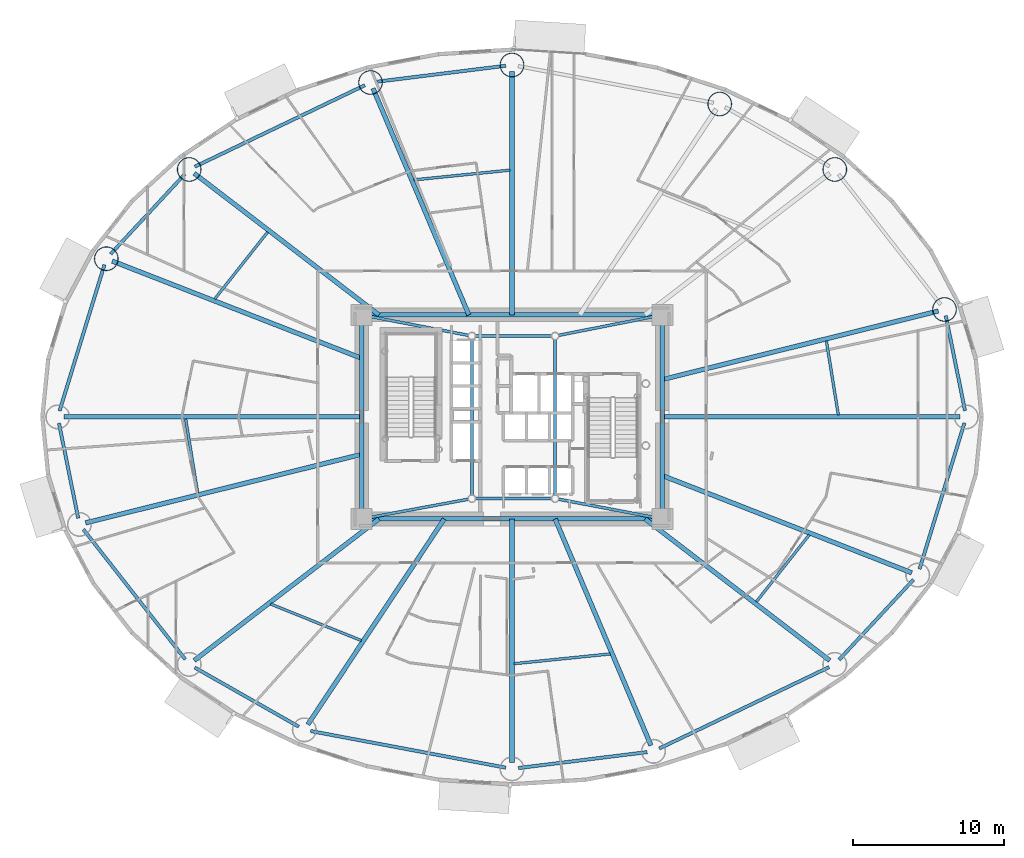
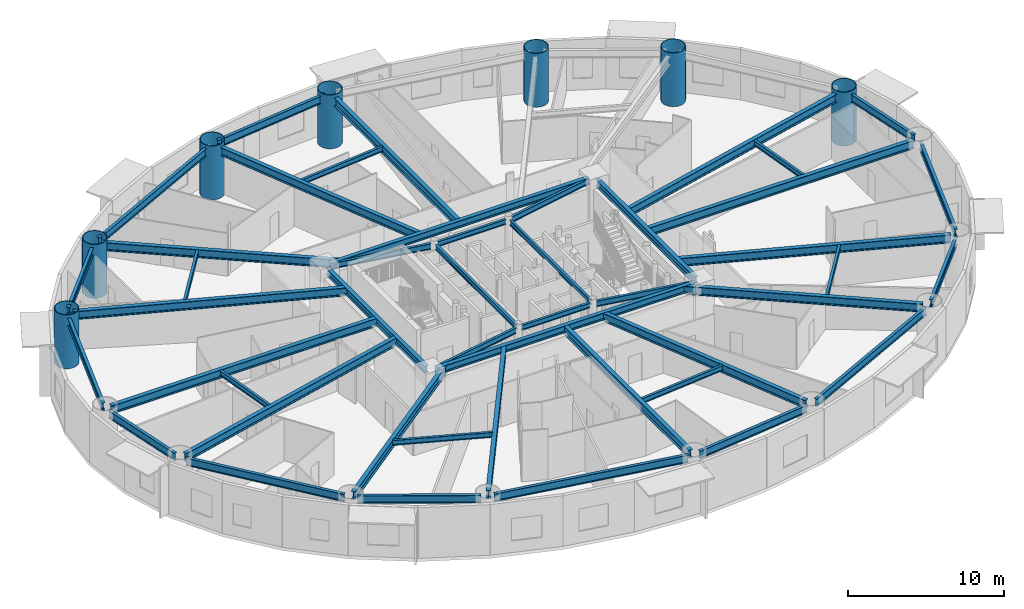
# One storey, part 3 of 21: 46 beams, 7 columns.
"""IFC4 building model written with IfcOpenShell, lengths in metres."""

from ifc_helpers import new_model, si_unit, direction, frame, origin, origin_2d, place, context, subcontext, project, spatial, hollow_circle, i_section, extrude, material, material_profile, profile_set, type_object, element, save


model = new_model("IFC4")

# Units and contexts
model_context = context("Model", 3, precision=1e-05, world=origin(), true_north=direction((0.0, 1.0)))
body_context = subcontext(model_context, "Body", "Model", "MODEL_VIEW")
ifc_project = project(units=[si_unit("LENGTHUNIT", "METRE"), si_unit("AREAUNIT", "SQUARE_METRE"), si_unit("VOLUMEUNIT", "CUBIC_METRE"), si_unit("PLANEANGLEUNIT", "RADIAN"), si_unit("MASSUNIT", "GRAM", prefix="KILO")], contexts=[model_context])

# Site, building, storey
site_placement = place(None, origin())
site = spatial("IfcSite", under=ifc_project, at=site_placement, CompositionType="ELEMENT")
building_placement = place(site_placement, origin())
building = spatial("IfcBuilding", under=site, at=building_placement, Name="Linh Dai School and Residence Tower", CompositionType="ELEMENT")
storey_placement = place(building_placement, frame((0.0, 0.0, 61.800048828125)))
storey = spatial("IfcBuildingStorey", under=building, at=storey_placement, Name="L14", CompositionType="ELEMENT", Elevation=61.800048828125)

# Columns
ifc_material = material(Name="Structural Steel S355JR", Category="steel")
ifc_material_profile_1 = material_profile(ifc_material, hollow_circle(Radius=0.800048828125, WallThickness=0.044921875, at=origin_2d()), Name="CHS 1600x45")
ifc_profile_set_1 = profile_set([ifc_material_profile_1], Name="Structural Steel S355JR")
column_type = type_object("IfcColumnType", Name="COL-MC2", PredefinedType="COLUMN", material=ifc_profile_set_1)
for number, where, z_axis, x_axis, name in (
    (1, (64.61083984375, 34.108642578125, 0.0), (0.0, 0.0, 1.0), (1.0, 0.0, 0.0), "L14 Perimeter CFT Mega-Column MC02"),
    (2, (57.352783203125, 43.369140625, 0.0), (0.0, 0.0, 1.0), (1.0, 0.0, 0.0), "L14 Perimeter CFT Mega-Column MC03"),
    (3, (49.73828125, 47.69921875, 0.0), (0.0, 0.0, 1.0), (1.0, 0.0, 0.0), "L14 Perimeter CFT Mega-Column MC04"),
    (4, (36.0, 50.280029296875, 0.0), (0.0, 0.0, 1.0), (1.0, 0.0, 0.0), "L14 Perimeter CFT Mega-Column MC05"),
    (5, (26.642333984375, 49.119873046875, 0.0), (0.0, 0.0, 1.0), (1.0, 0.0, 0.0), "L14 Perimeter CFT Mega-Column MC06"),
    (6, (14.647216796875, 43.369140625, 0.0), (0.0, 0.0, 1.0), (1.0, 0.0, 0.0), "L14 Perimeter CFT Mega-Column MC07"),
    (7, (9.16455078125, 37.4638671875, 0.0), (0.0, 0.0, 1.0), (1.0, 0.0, 0.0), "L14 Perimeter CFT Mega-Column MC08"),
):
    element("IfcColumn", number, at=place(storey_placement, frame(where, z_axis=z_axis, x_axis=x_axis)), inside=storey, type_object=column_type, Name=name, PredefinedType="COLUMN", context=body_context, shape_type="SweptSolid", body=[
        extrude(hollow_circle(Radius=0.800048828125, WallThickness=0.044921875, at=origin_2d()), origin(), (0.0, 0.0, 1.0), 4.199951171875),
    ])

# Beams
ifc_material_profile_2 = material_profile(ifc_material, i_section(OverallWidth=0.219970703125, OverallDepth=0.60009765625, WebThickness=0.011962890625, FlangeThickness=0.01904296875, FilletRadius=0.02392578125, at=origin_2d()), Name="IPE 600")
ifc_profile_set_2 = profile_set([ifc_material_profile_2], Name="Structural Steel S355JR")
beam_type_1 = type_object("IfcBeamType", Name="BM-RB60", PredefinedType="BEAM", material=ifc_profile_set_2)
beam_1_placement = place(storey_placement, frame((65.966552734375, 27.41162109375, 3.64990234375), z_axis=(-0.198429171022, 0.980115230005, 0.0), x_axis=(-0.980115230005, -0.198429171022, 0.0)))
element("IfcBeam", 8, at=beam_1_placement, inside=storey, type_object=beam_type_1, Name="L14 Perimeter Elliptical Ring Beam 01", PredefinedType="BEAM", context=body_context, shape_type="SweptSolid", body=[
    extrude(i_section(OverallWidth=0.219970703125, OverallDepth=0.60009765625, WebThickness=0.011962890625, FlangeThickness=0.01904296875, FilletRadius=0.02392578125, at=origin_2d()), origin(), (0.0, 0.0, 1.0), 6.41259765625),
])
beam_2_placement = place(storey_placement, frame((35.583251953125, 50.228271484375, 3.64990234375), z_axis=(-0.99240113372, -0.123044665842, 0.0), x_axis=(0.123044665842, -0.99240113372, 0.0)))
element("IfcBeam", 9, at=beam_2_placement, inside=storey, type_object=beam_type_1, Name="L14 Perimeter Elliptical Ring Beam 05", PredefinedType="BEAM", context=body_context, shape_type="SweptSolid", body=[
    extrude(i_section(OverallWidth=0.219970703125, OverallDepth=0.60009765625, WebThickness=0.011962890625, FlangeThickness=0.01904296875, FilletRadius=0.02392578125, at=origin_2d()), origin(), (0.0, 0.0, 1.0), 8.58935546875),
])
beam_3_placement = place(storey_placement, frame((26.263427734375, 48.938232421875, 3.64990234375), z_axis=(-0.901728693485, -0.432302398034, 0.0), x_axis=(0.432302398034, -0.901728693485, 0.0)))
element("IfcBeam", 10, at=beam_3_placement, inside=storey, type_object=beam_type_1, Name="L14 Perimeter Elliptical Ring Beam 06", PredefinedType="BEAM", context=body_context, shape_type="SweptSolid", body=[
    extrude(i_section(OverallWidth=0.219970703125, OverallDepth=0.60009765625, WebThickness=0.011962890625, FlangeThickness=0.01904296875, FilletRadius=0.02392578125, at=origin_2d()), origin(), (0.0, 0.0, 1.0), 12.462158203125),
])
beam_4_placement = place(storey_placement, frame((14.361572265625, 43.061279296875, 3.64990234375), z_axis=(-0.680408287194, -0.732833243458, 0.0), x_axis=(0.732833243458, -0.680408287194, 0.0)))
element("IfcBeam", 11, at=beam_4_placement, inside=storey, type_object=beam_type_1, Name="L14 Perimeter Elliptical Ring Beam 07", PredefinedType="BEAM", context=body_context, shape_type="SweptSolid", body=[
    extrude(i_section(OverallWidth=0.219970703125, OverallDepth=0.60009765625, WebThickness=0.011962890625, FlangeThickness=0.01904296875, FilletRadius=0.02392578125, at=origin_2d()), origin(), (0.0, 0.0, 1.0), 7.21826171875),
])
beam_5_placement = place(storey_placement, frame((9.041259765625, 37.062255859375, 3.64990234375), z_axis=(-0.293673329015, -0.95590584046, 0.0), x_axis=(0.95590584046, -0.293673329015, 0.0)))
element("IfcBeam", 12, at=beam_5_placement, inside=storey, type_object=beam_type_1, Name="L14 Perimeter Elliptical Ring Beam 08", PredefinedType="BEAM", context=body_context, shape_type="SweptSolid", body=[
    extrude(i_section(OverallWidth=0.219970703125, OverallDepth=0.60009765625, WebThickness=0.011962890625, FlangeThickness=0.01904296875, FilletRadius=0.02392578125, at=origin_2d()), origin(), (0.0, 0.0, 1.0), 10.1064453125),
])
beam_6_placement = place(storey_placement, frame((6.033447265625, 26.58837890625, 3.64990234375), z_axis=(0.198429171022, -0.980115230005, 0.0), x_axis=(0.980115230005, 0.198429171022, 0.0)))
element("IfcBeam", 13, at=beam_6_placement, inside=storey, type_object=beam_type_1, Name="L14 Perimeter Elliptical Ring Beam 09", PredefinedType="BEAM", context=body_context, shape_type="SweptSolid", body=[
    extrude(i_section(OverallWidth=0.219970703125, OverallDepth=0.60009765625, WebThickness=0.011962890625, FlangeThickness=0.01904296875, FilletRadius=0.02392578125, at=origin_2d()), origin(), (0.0, 0.0, 1.0), 6.41259765625),
])
beam_7_placement = place(storey_placement, frame((7.648193359375, 19.560791015625, 3.64990234375), z_axis=(0.616878670407, -0.787058260866, 0.0), x_axis=(0.787058260866, 0.616878670407, 0.0)))
element("IfcBeam", 14, at=beam_7_placement, inside=storey, type_object=beam_type_1, Name="L14 Perimeter Elliptical Ring Beam 10", PredefinedType="BEAM", context=body_context, shape_type="SweptSolid", body=[
    extrude(i_section(OverallWidth=0.219970703125, OverallDepth=0.60009765625, WebThickness=0.011962890625, FlangeThickness=0.01904296875, FilletRadius=0.02392578125, at=origin_2d()), origin(), (0.0, 0.0, 1.0), 10.926025390625),
])
beam_8_placement = place(storey_placement, frame((15.012451171875, 10.42333984375, 3.64990234375), z_axis=(0.869271416992, -0.494335112653, 0.0), x_axis=(0.494335112653, 0.869271416992, 0.0)))
element("IfcBeam", 15, at=beam_8_placement, inside=storey, type_object=beam_type_1, Name="L14 Perimeter Elliptical Ring Beam 11", PredefinedType="BEAM", context=body_context, shape_type="SweptSolid", body=[
    extrude(i_section(OverallWidth=0.219970703125, OverallDepth=0.60009765625, WebThickness=0.011962890625, FlangeThickness=0.01904296875, FilletRadius=0.02392578125, at=origin_2d()), origin(), (0.0, 0.0, 1.0), 7.91943359375),
])
beam_9_placement = place(storey_placement, frame((22.67431640625, 6.223388671875, 3.64990234375), z_axis=(0.982808389171, -0.184628465236, 0.0), x_axis=(0.184628465236, 0.982808389171, 0.0)))
element("IfcBeam", 16, at=beam_9_placement, inside=storey, type_object=beam_type_1, Name="L14 Perimeter Elliptical Ring Beam 12", PredefinedType="BEAM", context=body_context, shape_type="SweptSolid", body=[
    extrude(i_section(OverallWidth=0.219970703125, OverallDepth=0.60009765625, WebThickness=0.011962890625, FlangeThickness=0.01904296875, FilletRadius=0.02392578125, at=origin_2d()), origin(), (0.0, 0.0, 1.0), 13.138671875),
])
beam_10_placement = place(storey_placement, frame((36.416748046875, 3.771728515625, 3.64990234375), z_axis=(0.99240113372, 0.123044665842, 0.0), x_axis=(-0.123044665842, 0.99240113372, 0.0)))
element("IfcBeam", 17, at=beam_10_placement, inside=storey, type_object=beam_type_1, Name="L14 Perimeter Elliptical Ring Beam 13", PredefinedType="BEAM", context=body_context, shape_type="SweptSolid", body=[
    extrude(i_section(OverallWidth=0.219970703125, OverallDepth=0.60009765625, WebThickness=0.011962890625, FlangeThickness=0.01904296875, FilletRadius=0.02392578125, at=origin_2d()), origin(), (0.0, 0.0, 1.0), 8.58935546875),
])
beam_11_placement = place(storey_placement, frame((45.736572265625, 5.061767578125, 3.64990234375), z_axis=(0.901728693485, 0.432302398034, 0.0), x_axis=(-0.432302398034, 0.901728693485, 0.0)))
element("IfcBeam", 18, at=beam_11_placement, inside=storey, type_object=beam_type_1, Name="L14 Perimeter Elliptical Ring Beam 14", PredefinedType="BEAM", context=body_context, shape_type="SweptSolid", body=[
    extrude(i_section(OverallWidth=0.219970703125, OverallDepth=0.60009765625, WebThickness=0.011962890625, FlangeThickness=0.01904296875, FilletRadius=0.02392578125, at=origin_2d()), origin(), (0.0, 0.0, 1.0), 12.462158203125),
])
beam_12_placement = place(storey_placement, frame((57.638427734375, 10.938720703125, 3.64990234375), z_axis=(0.680408287194, 0.732833243458, 0.0), x_axis=(-0.732833243458, 0.680408287194, 0.0)))
element("IfcBeam", 19, at=beam_12_placement, inside=storey, type_object=beam_type_1, Name="L14 Perimeter Elliptical Ring Beam 15", PredefinedType="BEAM", context=body_context, shape_type="SweptSolid", body=[
    extrude(i_section(OverallWidth=0.219970703125, OverallDepth=0.60009765625, WebThickness=0.011962890625, FlangeThickness=0.01904296875, FilletRadius=0.02392578125, at=origin_2d()), origin(), (0.0, 0.0, 1.0), 7.21826171875),
])
beam_13_placement = place(storey_placement, frame((62.958740234375, 16.937744140625, 3.64990234375), z_axis=(0.293673329015, 0.95590584046, 0.0), x_axis=(-0.95590584046, 0.293673329015, 0.0)))
element("IfcBeam", 20, at=beam_13_placement, inside=storey, type_object=beam_type_1, Name="L14 Perimeter Elliptical Ring Beam 16", PredefinedType="BEAM", context=body_context, shape_type="SweptSolid", body=[
    extrude(i_section(OverallWidth=0.219970703125, OverallDepth=0.60009765625, WebThickness=0.011962890625, FlangeThickness=0.01904296875, FilletRadius=0.02392578125, at=origin_2d()), origin(), (0.0, 0.0, 1.0), 10.1064453125),
])
ifc_material_profile_3 = material_profile(ifc_material, i_section(OverallWidth=0.300048828125, OverallDepth=0.550048828125, WebThickness=0.014892578125, FlangeThickness=0.029052734375, FilletRadius=0.027099609375, at=origin_2d()), Name="HEB 550")
ifc_profile_set_3 = profile_set([ifc_material_profile_3], Name="Structural Steel S355JR")
beam_type_2 = type_object("IfcBeamType", Name="BM-RG55", PredefinedType="BEAM", material=ifc_profile_set_3)
beam_14_placement = place(storey_placement, frame((26.469970703125, 20.25, 3.675048828125), z_axis=(1.0, 0.0, 0.0), x_axis=(0.0, 1.0, 0.0)))
element("IfcBeam", 21, at=beam_14_placement, inside=storey, type_object=beam_type_2, Name="L14 Core Perimeter Coupling Girder 1", PredefinedType="BEAM", context=body_context, shape_type="SweptSolid", body=[
    extrude(i_section(OverallWidth=0.300048828125, OverallDepth=0.550048828125, WebThickness=0.014892578125, FlangeThickness=0.029052734375, FilletRadius=0.027099609375, at=origin_2d()), origin(), (0.0, 0.0, 1.0), 19.06005859375),
])
beam_15_placement = place(storey_placement, frame((45.949951171875, 20.669921875, 3.675048828125), z_axis=(0.0, 1.0, 0.0), x_axis=(-1.0, 0.0, 0.0)))
element("IfcBeam", 22, at=beam_15_placement, inside=storey, type_object=beam_type_2, Name="L14 Core Perimeter Coupling Girder 2", PredefinedType="BEAM", context=body_context, shape_type="SweptSolid", body=[
    extrude(i_section(OverallWidth=0.300048828125, OverallDepth=0.550048828125, WebThickness=0.014892578125, FlangeThickness=0.029052734375, FilletRadius=0.027099609375, at=origin_2d()), origin(), (0.0, 0.0, 1.0), 12.66015625),
])
beam_16_placement = place(storey_placement, frame((45.530029296875, 33.75, 3.675048828125), z_axis=(-1.0, 0.0, 0.0), x_axis=(0.0, -1.0, 0.0)))
element("IfcBeam", 23, at=beam_16_placement, inside=storey, type_object=beam_type_2, Name="L14 Core Perimeter Coupling Girder 3", PredefinedType="BEAM", context=body_context, shape_type="SweptSolid", body=[
    extrude(i_section(OverallWidth=0.300048828125, OverallDepth=0.550048828125, WebThickness=0.014892578125, FlangeThickness=0.029052734375, FilletRadius=0.027099609375, at=origin_2d()), origin(), (0.0, 0.0, 1.0), 19.06005859375),
])
beam_17_placement = place(storey_placement, frame((26.050048828125, 33.330078125, 3.675048828125), z_axis=(0.0, -1.0, 0.0), x_axis=(1.0, 0.0, 0.0)))
element("IfcBeam", 24, at=beam_17_placement, inside=storey, type_object=beam_type_2, Name="L14 Core Perimeter Coupling Girder 4", PredefinedType="BEAM", context=body_context, shape_type="SweptSolid", body=[
    extrude(i_section(OverallWidth=0.300048828125, OverallDepth=0.550048828125, WebThickness=0.014892578125, FlangeThickness=0.029052734375, FilletRadius=0.027099609375, at=origin_2d()), origin(), (0.0, 0.0, 1.0), 12.66015625),
])
ifc_material_profile_4 = material_profile(ifc_material, i_section(OverallWidth=0.300048828125, OverallDepth=0.64990234375, WebThickness=0.01611328125, FlangeThickness=0.031005859375, FilletRadius=0.027099609375, at=origin_2d()), Name="HEB 650")
ifc_profile_set_4 = profile_set([ifc_material_profile_4], Name="Structural Steel S355JR")
beam_type_3 = type_object("IfcBeamType", Name="BM-RG65", PredefinedType="BEAM", material=ifc_profile_set_4)
beam_18_placement = place(storey_placement, frame((45.949951171875, 27.0, 3.625), z_axis=(1.0, 0.0, 0.0), x_axis=(0.0, 1.0, 0.0)))
element("IfcBeam", 25, at=beam_18_placement, inside=storey, type_object=beam_type_3, Name="L14 Primary Radial Floor Girder 01", PredefinedType="BEAM", context=body_context, shape_type="SweptSolid", body=[
    extrude(i_section(OverallWidth=0.300048828125, OverallDepth=0.64990234375, WebThickness=0.01611328125, FlangeThickness=0.031005859375, FilletRadius=0.027099609375, at=origin_2d()), origin(), (0.0, 0.0, 1.0), 19.679931640625),
])
beam_19_placement = place(storey_placement, frame((45.949951171875, 29.47216796875, 3.625), z_axis=(0.970493481328, 0.241127357843, 0.0), x_axis=(-0.241127357843, 0.970493481328, 0.0)))
element("IfcBeam", 26, at=beam_19_placement, inside=storey, type_object=beam_type_3, Name="L14 Primary Radial Floor Girder 02", PredefinedType="BEAM", context=body_context, shape_type="SweptSolid", body=[
    extrude(i_section(OverallWidth=0.300048828125, OverallDepth=0.64990234375, WebThickness=0.01611328125, FlangeThickness=0.031005859375, FilletRadius=0.027099609375, at=origin_2d()), origin(), (0.0, 0.0, 1.0), 18.80810546875),
])
beam_20_placement = place(storey_placement, frame((36.0, 33.75, 3.625), z_axis=(0.0, 1.0, 0.0), x_axis=(-1.0, 0.0, 0.0)))
element("IfcBeam", 27, at=beam_20_placement, inside=storey, type_object=beam_type_3, Name="L14 Primary Radial Floor Girder 05", PredefinedType="BEAM", context=body_context, shape_type="SweptSolid", body=[
    extrude(i_section(OverallWidth=0.300048828125, OverallDepth=0.64990234375, WebThickness=0.01611328125, FlangeThickness=0.031005859375, FilletRadius=0.027099609375, at=origin_2d()), origin(), (0.0, 0.0, 1.0), 16.110107421875),
])
beam_21_placement = place(storey_placement, frame((33.14453125, 33.75, 3.625), z_axis=(-0.38962432485, 0.920973878829, 0.0), x_axis=(-0.920973878829, -0.38962432485, 0.0)))
element("IfcBeam", 28, at=beam_21_placement, inside=storey, type_object=beam_type_3, Name="L14 Primary Radial Floor Girder 06", PredefinedType="BEAM", context=body_context, shape_type="SweptSolid", body=[
    extrude(i_section(OverallWidth=0.300048828125, OverallDepth=0.64990234375, WebThickness=0.01611328125, FlangeThickness=0.031005859375, FilletRadius=0.027099609375, at=origin_2d()), origin(), (0.0, 0.0, 1.0), 16.2685546875),
])
beam_22_placement = place(storey_placement, frame((27.195068359375, 33.75, 3.625), z_axis=(-0.793637764155, 0.608390581212, 0.0), x_axis=(-0.608390581212, -0.793637764155, 0.0)))
element("IfcBeam", 29, at=beam_22_placement, inside=storey, type_object=beam_type_3, Name="L14 Primary Radial Floor Girder 07", PredefinedType="BEAM", context=body_context, shape_type="SweptSolid", body=[
    extrude(i_section(OverallWidth=0.300048828125, OverallDepth=0.64990234375, WebThickness=0.01611328125, FlangeThickness=0.031005859375, FilletRadius=0.027099609375, at=origin_2d()), origin(), (0.0, 0.0, 1.0), 15.390625),
])
beam_23_placement = place(storey_placement, frame((26.050048828125, 30.879638671875, 3.625), z_axis=(-0.93167509369, 0.363292609061, 0.0), x_axis=(-0.363292609061, -0.93167509369, 0.0)))
element("IfcBeam", 30, at=beam_23_placement, inside=storey, type_object=beam_type_3, Name="L14 Primary Radial Floor Girder 08", PredefinedType="BEAM", context=body_context, shape_type="SweptSolid", body=[
    extrude(i_section(OverallWidth=0.300048828125, OverallDepth=0.64990234375, WebThickness=0.01611328125, FlangeThickness=0.031005859375, FilletRadius=0.027099609375, at=origin_2d()), origin(), (0.0, 0.0, 1.0), 17.703857421875),
])
beam_24_placement = place(storey_placement, frame((26.050048828125, 27.0, 3.625), z_axis=(-1.0, 0.0, 0.0), x_axis=(0.0, -1.0, 0.0)))
element("IfcBeam", 31, at=beam_24_placement, inside=storey, type_object=beam_type_3, Name="L14 Primary Radial Floor Girder 09", PredefinedType="BEAM", context=body_context, shape_type="SweptSolid", body=[
    extrude(i_section(OverallWidth=0.300048828125, OverallDepth=0.64990234375, WebThickness=0.01611328125, FlangeThickness=0.031005859375, FilletRadius=0.027099609375, at=origin_2d()), origin(), (0.0, 0.0, 1.0), 19.679931640625),
])
beam_25_placement = place(storey_placement, frame((26.050048828125, 24.52783203125, 3.625), z_axis=(-0.970493481328, -0.241127357843, 0.0), x_axis=(0.241127357843, -0.970493481328, 0.0)))
element("IfcBeam", 32, at=beam_25_placement, inside=storey, type_object=beam_type_3, Name="L14 Primary Radial Floor Girder 10", PredefinedType="BEAM", context=body_context, shape_type="SweptSolid", body=[
    extrude(i_section(OverallWidth=0.300048828125, OverallDepth=0.64990234375, WebThickness=0.01611328125, FlangeThickness=0.031005859375, FilletRadius=0.027099609375, at=origin_2d()), origin(), (0.0, 0.0, 1.0), 18.80810546875),
])
beam_26_placement = place(storey_placement, frame((27.195068359375, 20.25, 3.625), z_axis=(-0.793637764155, -0.608390581212, 0.0), x_axis=(0.608390581212, -0.793637764155, 0.0)))
element("IfcBeam", 33, at=beam_26_placement, inside=storey, type_object=beam_type_3, Name="L14 Primary Radial Floor Girder 11", PredefinedType="BEAM", context=body_context, shape_type="SweptSolid", body=[
    extrude(i_section(OverallWidth=0.300048828125, OverallDepth=0.64990234375, WebThickness=0.01611328125, FlangeThickness=0.031005859375, FilletRadius=0.027099609375, at=origin_2d()), origin(), (0.0, 0.0, 1.0), 15.390625),
])
beam_27_placement = place(storey_placement, frame((31.52001953125, 20.25, 3.625), z_axis=(-0.55300421354, -0.833178456158, 0.0), x_axis=(0.833178456158, -0.55300421354, 0.0)))
element("IfcBeam", 34, at=beam_27_placement, inside=storey, type_object=beam_type_3, Name="L14 Primary Radial Floor Girder 12", PredefinedType="BEAM", context=body_context, shape_type="SweptSolid", body=[
    extrude(i_section(OverallWidth=0.300048828125, OverallDepth=0.64990234375, WebThickness=0.01611328125, FlangeThickness=0.031005859375, FilletRadius=0.027099609375, at=origin_2d()), origin(), (0.0, 0.0, 1.0), 16.322021484375),
])
beam_28_placement = place(storey_placement, frame((36.0, 20.25, 3.625), z_axis=(0.0, -1.0, 0.0), x_axis=(1.0, 0.0, 0.0)))
element("IfcBeam", 35, at=beam_28_placement, inside=storey, type_object=beam_type_3, Name="L14 Primary Radial Floor Girder 13", PredefinedType="BEAM", context=body_context, shape_type="SweptSolid", body=[
    extrude(i_section(OverallWidth=0.300048828125, OverallDepth=0.64990234375, WebThickness=0.01611328125, FlangeThickness=0.031005859375, FilletRadius=0.027099609375, at=origin_2d()), origin(), (0.0, 0.0, 1.0), 16.110107421875),
])
beam_29_placement = place(storey_placement, frame((38.85546875, 20.25, 3.625), z_axis=(0.38962432485, -0.920973878829, 0.0), x_axis=(0.920973878829, 0.38962432485, 0.0)))
element("IfcBeam", 36, at=beam_29_placement, inside=storey, type_object=beam_type_3, Name="L14 Primary Radial Floor Girder 14", PredefinedType="BEAM", context=body_context, shape_type="SweptSolid", body=[
    extrude(i_section(OverallWidth=0.300048828125, OverallDepth=0.64990234375, WebThickness=0.01611328125, FlangeThickness=0.031005859375, FilletRadius=0.027099609375, at=origin_2d()), origin(), (0.0, 0.0, 1.0), 16.2685546875),
])
beam_30_placement = place(storey_placement, frame((44.804931640625, 20.25, 3.625), z_axis=(0.793637764155, -0.608390581212, 0.0), x_axis=(0.608390581212, 0.793637764155, 0.0)))
element("IfcBeam", 37, at=beam_30_placement, inside=storey, type_object=beam_type_3, Name="L14 Primary Radial Floor Girder 15", PredefinedType="BEAM", context=body_context, shape_type="SweptSolid", body=[
    extrude(i_section(OverallWidth=0.300048828125, OverallDepth=0.64990234375, WebThickness=0.01611328125, FlangeThickness=0.031005859375, FilletRadius=0.027099609375, at=origin_2d()), origin(), (0.0, 0.0, 1.0), 15.390625),
])
beam_31_placement = place(storey_placement, frame((45.949951171875, 23.120361328125, 3.625), z_axis=(0.93167509369, -0.363292609061, 0.0), x_axis=(0.363292609061, 0.93167509369, 0.0)))
element("IfcBeam", 38, at=beam_31_placement, inside=storey, type_object=beam_type_3, Name="L14 Primary Radial Floor Girder 16", PredefinedType="BEAM", context=body_context, shape_type="SweptSolid", body=[
    extrude(i_section(OverallWidth=0.300048828125, OverallDepth=0.64990234375, WebThickness=0.01611328125, FlangeThickness=0.031005859375, FilletRadius=0.027099609375, at=origin_2d()), origin(), (0.0, 0.0, 1.0), 17.703857421875),
])
ifc_material_profile_5 = material_profile(ifc_material, i_section(OverallWidth=0.179931640625, OverallDepth=0.39990234375, WebThickness=0.008544921875, FlangeThickness=0.013427734375, FilletRadius=0.02099609375, at=origin_2d()), Name="IPE 400")
ifc_profile_set_5 = profile_set([ifc_material_profile_5], Name="Structural Steel S355JR")
beam_type_4 = type_object("IfcBeamType", Name="BM-SB40", PredefinedType="BEAM", material=ifc_profile_set_5)
beam_32_placement = place(storey_placement, frame((33.573974609375, 21.60009765625, 3.75), z_axis=(1.0, 0.0, 0.0), x_axis=(0.0, 1.0, 0.0)))
element("IfcBeam", 39, at=beam_32_placement, inside=storey, type_object=beam_type_4, Name="L14 Core Mast Pier Tie Beam 1", PredefinedType="BEAM", context=body_context, shape_type="SweptSolid", body=[
    extrude(i_section(OverallWidth=0.179931640625, OverallDepth=0.39990234375, WebThickness=0.008544921875, FlangeThickness=0.013427734375, FilletRadius=0.02099609375, at=origin_2d()), origin(), (0.0, 0.0, 1.0), 5.052001953125),
])
beam_33_placement = place(storey_placement, frame((38.85009765625, 21.823974609375, 3.75), z_axis=(0.0, 1.0, 0.0), x_axis=(-1.0, 0.0, 0.0)))
element("IfcBeam", 40, at=beam_33_placement, inside=storey, type_object=beam_type_4, Name="L14 Core Mast Pier Tie Beam 2", PredefinedType="BEAM", context=body_context, shape_type="SweptSolid", body=[
    extrude(i_section(OverallWidth=0.179931640625, OverallDepth=0.39990234375, WebThickness=0.008544921875, FlangeThickness=0.013427734375, FilletRadius=0.02099609375, at=origin_2d()), origin(), (0.0, 0.0, 1.0), 10.302001953125),
])
beam_34_placement = place(storey_placement, frame((38.6259765625, 32.35009765625, 3.75), z_axis=(-1.0, 0.0, 0.0), x_axis=(0.0, -1.0, 0.0)))
element("IfcBeam", 41, at=beam_34_placement, inside=storey, type_object=beam_type_4, Name="L14 Core Mast Pier Tie Beam 3", PredefinedType="BEAM", context=body_context, shape_type="SweptSolid", body=[
    extrude(i_section(OverallWidth=0.179931640625, OverallDepth=0.39990234375, WebThickness=0.008544921875, FlangeThickness=0.013427734375, FilletRadius=0.02099609375, at=origin_2d()), origin(), (0.0, 0.0, 1.0), 5.052001953125),
])
beam_35_placement = place(storey_placement, frame((33.35009765625, 32.1259765625, 3.75), z_axis=(0.0, -1.0, 0.0), x_axis=(1.0, 0.0, 0.0)))
element("IfcBeam", 42, at=beam_35_placement, inside=storey, type_object=beam_type_4, Name="L14 Core Mast Pier Tie Beam 4", PredefinedType="BEAM", context=body_context, shape_type="SweptSolid", body=[
    extrude(i_section(OverallWidth=0.179931640625, OverallDepth=0.39990234375, WebThickness=0.008544921875, FlangeThickness=0.013427734375, FilletRadius=0.02099609375, at=origin_2d()), origin(), (0.0, 0.0, 1.0), 10.302001953125),
])
beam_36_placement = place(storey_placement, frame((57.587158203125, 27.12841796875, 3.75), z_axis=(-0.159655745546, 0.987172752316, 0.0), x_axis=(-0.987172752316, -0.159655745546, 0.0)))
element("IfcBeam", 43, at=beam_36_placement, inside=storey, type_object=beam_type_4, Name="L14 Secondary Circumferential Floor Beam 01", PredefinedType="BEAM", context=body_context, shape_type="SweptSolid", body=[
    extrude(i_section(OverallWidth=0.179931640625, OverallDepth=0.39990234375, WebThickness=0.008544921875, FlangeThickness=0.013427734375, FilletRadius=0.02099609375, at=origin_2d()), origin(), (0.0, 0.0, 1.0), 4.96826171875),
])
beam_37_placement = place(storey_placement, frame((35.87060546875, 43.32421875, 3.75), z_axis=(-0.994886521003, -0.100999061019, 0.0), x_axis=(0.100999061019, -0.994886521003, 0.0)))
element("IfcBeam", 44, at=beam_37_placement, inside=storey, type_object=beam_type_4, Name="L14 Secondary Circumferential Floor Beam 03", PredefinedType="BEAM", context=body_context, shape_type="SweptSolid", body=[
    extrude(i_section(OverallWidth=0.179931640625, OverallDepth=0.39990234375, WebThickness=0.008544921875, FlangeThickness=0.013427734375, FilletRadius=0.02099609375, at=origin_2d()), origin(), (0.0, 0.0, 1.0), 6.40087890625),
])
beam_38_placement = place(storey_placement, frame((19.836669921875, 39.22705078125, 3.75), z_axis=(-0.620205247605, -0.78443957756, 0.0), x_axis=(0.78443957756, -0.620205247605, 0.0)))
element("IfcBeam", 45, at=beam_38_placement, inside=storey, type_object=beam_type_4, Name="L14 Secondary Circumferential Floor Beam 04", PredefinedType="BEAM", context=body_context, shape_type="SweptSolid", body=[
    extrude(i_section(OverallWidth=0.179931640625, OverallDepth=0.39990234375, WebThickness=0.008544921875, FlangeThickness=0.013427734375, FilletRadius=0.02099609375, at=origin_2d()), origin(), (0.0, 0.0, 1.0), 5.642822265625),
])
beam_39_placement = place(storey_placement, frame((14.412841796875, 26.87158203125, 3.75), z_axis=(0.159655745546, -0.987172752316, 0.0), x_axis=(0.987172752316, 0.159655745546, 0.0)))
element("IfcBeam", 46, at=beam_39_placement, inside=storey, type_object=beam_type_4, Name="L14 Secondary Circumferential Floor Beam 05", PredefinedType="BEAM", context=body_context, shape_type="SweptSolid", body=[
    extrude(i_section(OverallWidth=0.179931640625, OverallDepth=0.39990234375, WebThickness=0.008544921875, FlangeThickness=0.013427734375, FilletRadius=0.02099609375, at=origin_2d()), origin(), (0.0, 0.0, 1.0), 4.96826171875),
])
beam_40_placement = place(storey_placement, frame((20.037841796875, 14.622314453125, 3.75), z_axis=(0.927532778422, -0.3737418159, 0.0), x_axis=(0.3737418159, 0.927532778422, 0.0)))
element("IfcBeam", 47, at=beam_40_placement, inside=storey, type_object=beam_type_4, Name="L14 Secondary Circumferential Floor Beam 06", PredefinedType="BEAM", context=body_context, shape_type="SweptSolid", body=[
    extrude(i_section(OverallWidth=0.179931640625, OverallDepth=0.39990234375, WebThickness=0.008544921875, FlangeThickness=0.013427734375, FilletRadius=0.02099609375, at=origin_2d()), origin(), (0.0, 0.0, 1.0), 6.459716796875),
])
beam_41_placement = place(storey_placement, frame((36.12939453125, 10.67578125, 3.75), z_axis=(0.994886521003, 0.100999061019, 0.0), x_axis=(-0.100999061019, 0.994886521003, 0.0)))
element("IfcBeam", 48, at=beam_41_placement, inside=storey, type_object=beam_type_4, Name="L14 Secondary Circumferential Floor Beam 07", PredefinedType="BEAM", context=body_context, shape_type="SweptSolid", body=[
    extrude(i_section(OverallWidth=0.179931640625, OverallDepth=0.39990234375, WebThickness=0.008544921875, FlangeThickness=0.013427734375, FilletRadius=0.02099609375, at=origin_2d()), origin(), (0.0, 0.0, 1.0), 6.40087890625),
])
beam_42_placement = place(storey_placement, frame((52.163330078125, 14.77294921875, 3.75), z_axis=(0.620205247605, 0.78443957756, 0.0), x_axis=(-0.78443957756, 0.620205247605, 0.0)))
element("IfcBeam", 49, at=beam_42_placement, inside=storey, type_object=beam_type_4, Name="L14 Secondary Circumferential Floor Beam 08", PredefinedType="BEAM", context=body_context, shape_type="SweptSolid", body=[
    extrude(i_section(OverallWidth=0.179931640625, OverallDepth=0.39990234375, WebThickness=0.008544921875, FlangeThickness=0.013427734375, FilletRadius=0.02099609375, at=origin_2d()), origin(), (0.0, 0.0, 1.0), 5.642822265625),
])
ifc_material_profile_6 = material_profile(ifc_material, i_section(OverallWidth=0.18994140625, OverallDepth=0.449951171875, WebThickness=0.009521484375, FlangeThickness=0.0146484375, FilletRadius=0.02099609375, at=origin_2d()), Name="IPE 450")
ifc_profile_set_6 = profile_set([ifc_material_profile_6], Name="Structural Steel S355JR")
beam_type_5 = type_object("IfcBeamType", Name="BM-SB45", PredefinedType="BEAM", material=ifc_profile_set_6)
beam_43_placement = place(storey_placement, frame((26.462890625, 20.326416015625, 3.724853515625), z_axis=(0.983326152819, 0.18185070025, 0.0), x_axis=(-0.18185070025, 0.983326152819, 0.0)))
element("IfcBeam", 50, at=beam_43_placement, inside=storey, type_object=beam_type_5, Name="L14 Core Corner-to-Mast Pier Beam 1", PredefinedType="BEAM", context=body_context, shape_type="SweptSolid", body=[
    extrude(i_section(OverallWidth=0.18994140625, OverallDepth=0.449951171875, WebThickness=0.009521484375, FlangeThickness=0.0146484375, FilletRadius=0.02099609375, at=origin_2d()), origin(), (0.0, 0.0, 1.0), 6.77978515625),
])
beam_44_placement = place(storey_placement, frame((45.537353515625, 20.328369140625, 3.724853515625), z_axis=(-0.982397918823, 0.186800238471, 0.0), x_axis=(-0.186800238471, -0.982397918823, 0.0)))
element("IfcBeam", 51, at=beam_44_placement, inside=storey, type_object=beam_type_5, Name="L14 Core Corner-to-Mast Pier Beam 2", PredefinedType="BEAM", context=body_context, shape_type="SweptSolid", body=[
    extrude(i_section(OverallWidth=0.18994140625, OverallDepth=0.449951171875, WebThickness=0.009521484375, FlangeThickness=0.0146484375, FilletRadius=0.02099609375, at=origin_2d()), origin(), (0.0, 0.0, 1.0), 6.583251953125),
])
beam_45_placement = place(storey_placement, frame((45.537841796875, 33.668701171875, 3.724853515625), z_axis=(-0.981108354988, -0.193459028666, 0.0), x_axis=(0.193459028666, -0.981108354988, 0.0)))
element("IfcBeam", 52, at=beam_45_placement, inside=storey, type_object=beam_type_5, Name="L14 Core Corner-to-Mast Pier Beam 3", PredefinedType="BEAM", context=body_context, shape_type="SweptSolid", body=[
    extrude(i_section(OverallWidth=0.18994140625, OverallDepth=0.449951171875, WebThickness=0.009521484375, FlangeThickness=0.0146484375, FilletRadius=0.02099609375, at=origin_2d()), origin(), (0.0, 0.0, 1.0), 6.592529296875),
])
beam_46_placement = place(storey_placement, frame((26.46240234375, 33.6708984375, 3.724853515625), z_axis=(0.982100456787, -0.188357884832, 0.0), x_axis=(0.188357884832, 0.982100456787, 0.0)))
element("IfcBeam", 53, at=beam_46_placement, inside=storey, type_object=beam_type_5, Name="L14 Core Corner-to-Mast Pier Beam 4", PredefinedType="BEAM", context=body_context, shape_type="SweptSolid", body=[
    extrude(i_section(OverallWidth=0.18994140625, OverallDepth=0.449951171875, WebThickness=0.009521484375, FlangeThickness=0.0146484375, FilletRadius=0.02099609375, at=origin_2d()), origin(), (0.0, 0.0, 1.0), 6.789306640625),
])

save(model, "model.ifc")
